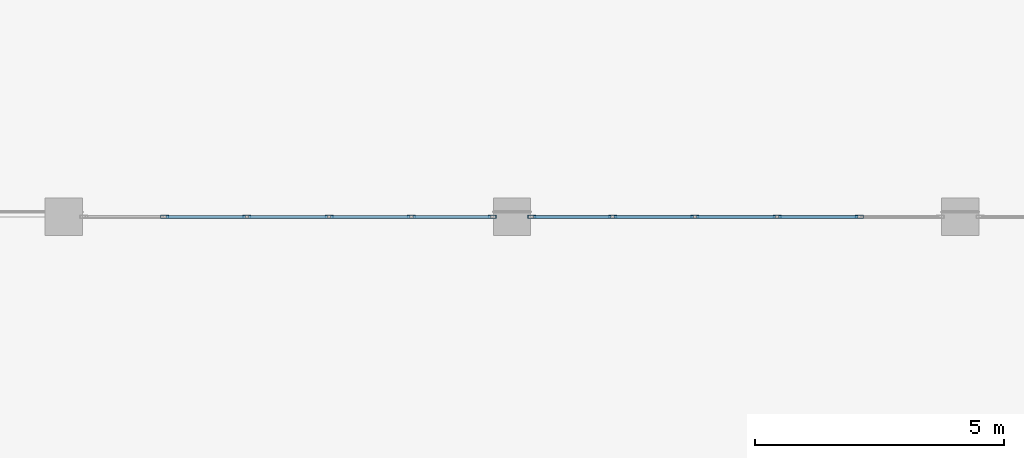
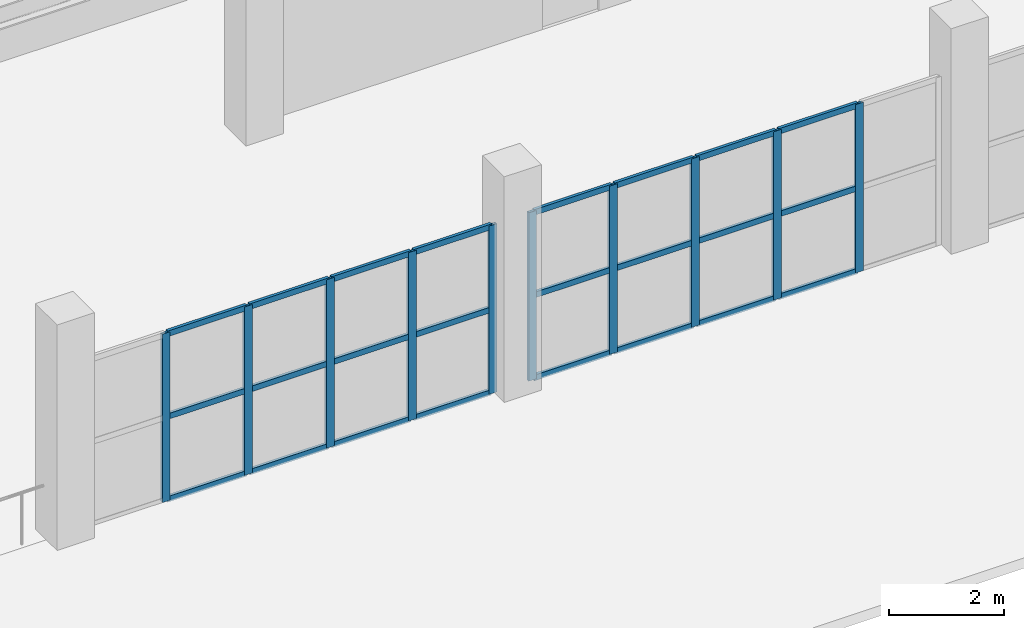
# One storey, part 14 of 89: 34 members, 2 elements without a shape of their own.
"""IFC4 building model written with IfcOpenShell, lengths in metres."""

from ifc_helpers import new_model, si_unit, direction, frame, origin, origin_2d, place, context, subcontext, project, spatial, hollow_rectangle, extrude, material, layer, layer_set, material_profile, profile_set, type_object, element, aggregate, save


model = new_model("IFC4")

# Units and contexts
model_context = context("Model", 3, precision=1e-05, world=origin(), true_north=direction((0.0, 1.0)))
body_context = subcontext(model_context, "Body", "Model", "MODEL_VIEW")
ifc_project = project(units=[si_unit("LENGTHUNIT", "METRE"), si_unit("AREAUNIT", "SQUARE_METRE"), si_unit("VOLUMEUNIT", "CUBIC_METRE"), si_unit("PLANEANGLEUNIT", "RADIAN"), si_unit("MASSUNIT", "GRAM", prefix="KILO")], contexts=[model_context])

# Site, building, storey
site_placement = place(None, origin())
site = spatial("IfcSite", under=ifc_project, at=site_placement, CompositionType="ELEMENT")
building_placement = place(site_placement, origin())
building = spatial("IfcBuilding", under=site, at=building_placement, Name="Dornveld Trade and Exhibition Forum", CompositionType="ELEMENT")
storey_placement = place(building_placement, frame((0.0, 0.0, 12.0)))
storey = spatial("IfcBuildingStorey", under=building, at=storey_placement, Name="L02", CompositionType="ELEMENT", Elevation=12.0)

# Curtain wall, members
ifc_material_1 = material(Name="Dark-bronze anodised aluminium and low-E glass", Category="aluminium")
ifc_layer_1 = layer(ifc_material_1, 0.177978515625)
ifc_layer_set_1 = layer_set([ifc_layer_1], Name="Dark-bronze anodised aluminium and low-E glass")
curtain_wall_type_1 = type_object("IfcCurtainWallType", Name="CW-SYS-12", PredefinedType="USERDEFINED", material=ifc_layer_set_1)
curtain_wall_1_placement = place(storey_placement, origin())
curtain_wall_1 = element("IfcCurtainWall", 1, at=curtain_wall_1_placement, inside=storey, type_object=curtain_wall_type_1, Name="L02 unitised curtain wall 48", ObjectType="UNITISED_CURTAIN_WALL", PredefinedType="USERDEFINED")
ifc_material_2 = material(Name="Dark-bronze anodised aluminium", Category="aluminium")
ifc_material_profile_1 = material_profile(ifc_material_2, hollow_rectangle(XDim=0.06005859375, YDim=0.159912109375, WallThickness=0.00390625, at=origin_2d()), Name="RHS 160x60x4")
ifc_profile_set_1 = profile_set([ifc_material_profile_1], Name="Dark-bronze anodised aluminium")
member_type_1 = type_object("IfcMemberType", Name="CW-MUL-160", PredefinedType="MULLION", material=ifc_profile_set_1)
member_1_placement = place(storey_placement, frame((101.022705078125, 36.0, -0.00390625), z_axis=(0.0, 0.0, 1.0), x_axis=(0.0, 1.0, 0.0)))
member_1 = element("IfcMember", 2, at=member_1_placement, type_object=member_type_1, Name="CW-12 mullion 2", PredefinedType="MULLION", context=body_context, shape_type="SweptSolid", body=[
    extrude(hollow_rectangle(XDim=0.06005859375, YDim=0.159912109375, WallThickness=0.00390625, at=origin_2d()), origin(), (0.0, 0.0, 1.0), 3.583984375),
])
member_2_placement = place(storey_placement, frame((102.67431640625, 36.0, -0.00390625), z_axis=(0.0, 0.0, 1.0), x_axis=(0.0, 1.0, 0.0)))
member_2 = element("IfcMember", 3, at=member_2_placement, type_object=member_type_1, Name="CW-12 mullion 3", PredefinedType="MULLION", context=body_context, shape_type="SweptSolid", body=[
    extrude(hollow_rectangle(XDim=0.06005859375, YDim=0.159912109375, WallThickness=0.00390625, at=origin_2d()), origin(), (0.0, 0.0, 1.0), 3.583984375),
])
member_3_placement = place(storey_placement, frame((104.32568359375, 36.0, -0.00390625), z_axis=(0.0, 0.0, 1.0), x_axis=(0.0, 1.0, 0.0)))
member_3 = element("IfcMember", 4, at=member_3_placement, type_object=member_type_1, Name="CW-12 mullion 4", PredefinedType="MULLION", context=body_context, shape_type="SweptSolid", body=[
    extrude(hollow_rectangle(XDim=0.06005859375, YDim=0.159912109375, WallThickness=0.00390625, at=origin_2d()), origin(), (0.0, 0.0, 1.0), 3.583984375),
])
member_4_placement = place(storey_placement, frame((105.977294921875, 36.0, -0.00390625), z_axis=(0.0, 0.0, 1.0), x_axis=(0.0, 1.0, 0.0)))
member_4 = element("IfcMember", 5, at=member_4_placement, type_object=member_type_1, Name="CW-12 mullion 5", PredefinedType="MULLION", context=body_context, shape_type="SweptSolid", body=[
    extrude(hollow_rectangle(XDim=0.06005859375, YDim=0.159912109375, WallThickness=0.00390625, at=origin_2d()), origin(), (0.0, 0.0, 1.0), 3.583984375),
])
member_5_placement = place(storey_placement, frame((107.59912109375, 36.0, -0.00390625), z_axis=(0.0, 0.0, 1.0), x_axis=(0.0, 1.0, 0.0)))
member_5 = element("IfcMember", 6, at=member_5_placement, type_object=member_type_1, Name="CW-12 mullion 6", PredefinedType="MULLION", context=body_context, shape_type="SweptSolid", body=[
    extrude(hollow_rectangle(XDim=0.06005859375, YDim=0.159912109375, WallThickness=0.00390625, at=origin_2d()), origin(), (0.0, 0.0, 1.0), 3.583984375),
])

ifc_material_3 = material(Name="Dark-bronze anodised aluminium and low-E glass", Category="aluminium")
ifc_layer_2 = layer(ifc_material_3, 0.180908203125)
ifc_layer_set_2 = layer_set([ifc_layer_2], Name="Dark-bronze anodised aluminium and low-E glass")
curtain_wall_type_2 = type_object("IfcCurtainWallType", Name="CW-SYS-13", PredefinedType="USERDEFINED", material=ifc_layer_set_2)
curtain_wall_2_placement = place(storey_placement, origin())
curtain_wall_2 = element("IfcCurtainWall", 7, at=curtain_wall_2_placement, inside=storey, type_object=curtain_wall_type_2, Name="L02 unitised curtain wall 49", ObjectType="UNITISED_CURTAIN_WALL", PredefinedType="USERDEFINED")
member_6_placement = place(storey_placement, frame((108.40087890625, 36.0, -0.00390625), z_axis=(0.0, 0.0, 1.0), x_axis=(0.0, 1.0, 0.0)))
member_6 = element("IfcMember", 8, at=member_6_placement, type_object=member_type_1, Name="CW-13 mullion 1", PredefinedType="MULLION", context=body_context, shape_type="SweptSolid", body=[
    extrude(hollow_rectangle(XDim=0.06005859375, YDim=0.159912109375, WallThickness=0.00390625, at=origin_2d()), origin(), (0.0, 0.0, 1.0), 3.583984375),
])
member_7_placement = place(storey_placement, frame((110.022705078125, 36.0, -0.00390625), z_axis=(0.0, 0.0, 1.0), x_axis=(0.0, 1.0, 0.0)))
member_7 = element("IfcMember", 9, at=member_7_placement, type_object=member_type_1, Name="CW-13 mullion 2", PredefinedType="MULLION", context=body_context, shape_type="SweptSolid", body=[
    extrude(hollow_rectangle(XDim=0.06005859375, YDim=0.159912109375, WallThickness=0.00390625, at=origin_2d()), origin(), (0.0, 0.0, 1.0), 3.583984375),
])
member_8_placement = place(storey_placement, frame((111.67431640625, 36.0, -0.00390625), z_axis=(0.0, 0.0, 1.0), x_axis=(0.0, 1.0, 0.0)))
member_8 = element("IfcMember", 10, at=member_8_placement, type_object=member_type_1, Name="CW-13 mullion 3", PredefinedType="MULLION", context=body_context, shape_type="SweptSolid", body=[
    extrude(hollow_rectangle(XDim=0.06005859375, YDim=0.159912109375, WallThickness=0.00390625, at=origin_2d()), origin(), (0.0, 0.0, 1.0), 3.583984375),
])
member_9_placement = place(storey_placement, frame((113.32568359375, 36.0, -0.00390625), z_axis=(0.0, 0.0, 1.0), x_axis=(0.0, 1.0, 0.0)))
member_9 = element("IfcMember", 11, at=member_9_placement, type_object=member_type_1, Name="CW-13 mullion 4", PredefinedType="MULLION", context=body_context, shape_type="SweptSolid", body=[
    extrude(hollow_rectangle(XDim=0.06005859375, YDim=0.159912109375, WallThickness=0.00390625, at=origin_2d()), origin(), (0.0, 0.0, 1.0), 3.583984375),
])
member_10_placement = place(storey_placement, frame((114.977294921875, 36.0, -0.00390625), z_axis=(0.0, 0.0, 1.0), x_axis=(0.0, 1.0, 0.0)))
member_10 = element("IfcMember", 12, at=member_10_placement, type_object=member_type_1, Name="CW-13 mullion 5", PredefinedType="MULLION", context=body_context, shape_type="SweptSolid", body=[
    extrude(hollow_rectangle(XDim=0.06005859375, YDim=0.159912109375, WallThickness=0.00390625, at=origin_2d()), origin(), (0.0, 0.0, 1.0), 3.583984375),
])

# Member
ifc_material_4 = material(Name="Dark-bronze anodised aluminium", Category="aluminium")
ifc_material_profile_2 = material_profile(ifc_material_4, hollow_rectangle(XDim=0.06005859375, YDim=0.1201171875, WallThickness=0.00390625, at=origin_2d()), Name="RHS 120x60x4")
ifc_profile_set_2 = profile_set([ifc_material_profile_2], Name="Dark-bronze anodised aluminium")
member_type_2 = type_object("IfcMemberType", Name="CW-TRN-120", PredefinedType="USERDEFINED", material=ifc_profile_set_2)
member_11_placement = place(storey_placement, frame((101.052490234375, 36.0, 0.02587890625), z_axis=(1.0, 0.0, 0.0), x_axis=(0.0, 1.0, 0.0)))
member_11 = element("IfcMember", 13, at=member_11_placement, type_object=member_type_2, Name="CW-12 transom 2.1", ObjectType="TRANSOM", PredefinedType="USERDEFINED", context=body_context, shape_type="SweptSolid", body=[
    extrude(hollow_rectangle(XDim=0.06005859375, YDim=0.1201171875, WallThickness=0.00390625, at=origin_2d()), origin(), (0.0, 0.0, 1.0), 1.591796875),
])

member_12_placement = place(storey_placement, frame((101.052490234375, 36.0, 1.7880859375), z_axis=(1.0, 0.0, 0.0), x_axis=(0.0, 1.0, 0.0)))
member_12 = element("IfcMember", 14, at=member_12_placement, type_object=member_type_2, Name="CW-12 transom 2.2", ObjectType="TRANSOM", PredefinedType="USERDEFINED", context=body_context, shape_type="SweptSolid", body=[
    extrude(hollow_rectangle(XDim=0.06005859375, YDim=0.1201171875, WallThickness=0.00390625, at=origin_2d()), origin(), (0.0, 0.0, 1.0), 1.591796875),
])

member_13_placement = place(storey_placement, frame((101.052490234375, 36.0, 3.550048828125), z_axis=(1.0, 0.0, 0.0), x_axis=(0.0, 1.0, 0.0)))
member_13 = element("IfcMember", 15, at=member_13_placement, type_object=member_type_2, Name="CW-12 transom 2.3", ObjectType="TRANSOM", PredefinedType="USERDEFINED", context=body_context, shape_type="SweptSolid", body=[
    extrude(hollow_rectangle(XDim=0.06005859375, YDim=0.1201171875, WallThickness=0.00390625, at=origin_2d()), origin(), (0.0, 0.0, 1.0), 1.591796875),
])

member_14_placement = place(storey_placement, frame((102.7041015625, 36.0, 0.02587890625), z_axis=(1.0, 0.0, 0.0), x_axis=(0.0, 1.0, 0.0)))
member_14 = element("IfcMember", 16, at=member_14_placement, type_object=member_type_2, Name="CW-12 transom 3.1", ObjectType="TRANSOM", PredefinedType="USERDEFINED", context=body_context, shape_type="SweptSolid", body=[
    extrude(hollow_rectangle(XDim=0.06005859375, YDim=0.1201171875, WallThickness=0.00390625, at=origin_2d()), origin(), (0.0, 0.0, 1.0), 1.591796875),
])

member_15_placement = place(storey_placement, frame((102.7041015625, 36.0, 1.7880859375), z_axis=(1.0, 0.0, 0.0), x_axis=(0.0, 1.0, 0.0)))
member_15 = element("IfcMember", 17, at=member_15_placement, type_object=member_type_2, Name="CW-12 transom 3.2", ObjectType="TRANSOM", PredefinedType="USERDEFINED", context=body_context, shape_type="SweptSolid", body=[
    extrude(hollow_rectangle(XDim=0.06005859375, YDim=0.1201171875, WallThickness=0.00390625, at=origin_2d()), origin(), (0.0, 0.0, 1.0), 1.591796875),
])

member_16_placement = place(storey_placement, frame((102.7041015625, 36.0, 3.550048828125), z_axis=(1.0, 0.0, 0.0), x_axis=(0.0, 1.0, 0.0)))
member_16 = element("IfcMember", 18, at=member_16_placement, type_object=member_type_2, Name="CW-12 transom 3.3", ObjectType="TRANSOM", PredefinedType="USERDEFINED", context=body_context, shape_type="SweptSolid", body=[
    extrude(hollow_rectangle(XDim=0.06005859375, YDim=0.1201171875, WallThickness=0.00390625, at=origin_2d()), origin(), (0.0, 0.0, 1.0), 1.591796875),
])

member_17_placement = place(storey_placement, frame((104.355712890625, 36.0, 0.02587890625), z_axis=(1.0, 0.0, 0.0), x_axis=(0.0, 1.0, 0.0)))
member_17 = element("IfcMember", 19, at=member_17_placement, type_object=member_type_2, Name="CW-12 transom 4.1", ObjectType="TRANSOM", PredefinedType="USERDEFINED", context=body_context, shape_type="SweptSolid", body=[
    extrude(hollow_rectangle(XDim=0.06005859375, YDim=0.1201171875, WallThickness=0.00390625, at=origin_2d()), origin(), (0.0, 0.0, 1.0), 1.591796875),
])

member_18_placement = place(storey_placement, frame((104.355712890625, 36.0, 1.7880859375), z_axis=(1.0, 0.0, 0.0), x_axis=(0.0, 1.0, 0.0)))
member_18 = element("IfcMember", 20, at=member_18_placement, type_object=member_type_2, Name="CW-12 transom 4.2", ObjectType="TRANSOM", PredefinedType="USERDEFINED", context=body_context, shape_type="SweptSolid", body=[
    extrude(hollow_rectangle(XDim=0.06005859375, YDim=0.1201171875, WallThickness=0.00390625, at=origin_2d()), origin(), (0.0, 0.0, 1.0), 1.591796875),
])

member_19_placement = place(storey_placement, frame((104.355712890625, 36.0, 3.550048828125), z_axis=(1.0, 0.0, 0.0), x_axis=(0.0, 1.0, 0.0)))
member_19 = element("IfcMember", 21, at=member_19_placement, type_object=member_type_2, Name="CW-12 transom 4.3", ObjectType="TRANSOM", PredefinedType="USERDEFINED", context=body_context, shape_type="SweptSolid", body=[
    extrude(hollow_rectangle(XDim=0.06005859375, YDim=0.1201171875, WallThickness=0.00390625, at=origin_2d()), origin(), (0.0, 0.0, 1.0), 1.591796875),
])

member_20_placement = place(storey_placement, frame((106.00732421875, 36.0, 0.02587890625), z_axis=(1.0, 0.0, 0.0), x_axis=(0.0, 1.0, 0.0)))
member_20 = element("IfcMember", 22, at=member_20_placement, type_object=member_type_2, Name="CW-12 transom 5.1", ObjectType="TRANSOM", PredefinedType="USERDEFINED", context=body_context, shape_type="SweptSolid", body=[
    extrude(hollow_rectangle(XDim=0.06005859375, YDim=0.1201171875, WallThickness=0.00390625, at=origin_2d()), origin(), (0.0, 0.0, 1.0), 1.561767578125),
])

member_21_placement = place(storey_placement, frame((106.00732421875, 36.0, 1.7880859375), z_axis=(1.0, 0.0, 0.0), x_axis=(0.0, 1.0, 0.0)))
member_21 = element("IfcMember", 23, at=member_21_placement, type_object=member_type_2, Name="CW-12 transom 5.2", ObjectType="TRANSOM", PredefinedType="USERDEFINED", context=body_context, shape_type="SweptSolid", body=[
    extrude(hollow_rectangle(XDim=0.06005859375, YDim=0.1201171875, WallThickness=0.00390625, at=origin_2d()), origin(), (0.0, 0.0, 1.0), 1.561767578125),
])

member_22_placement = place(storey_placement, frame((106.00732421875, 36.0, 3.550048828125), z_axis=(1.0, 0.0, 0.0), x_axis=(0.0, 1.0, 0.0)))
member_22 = element("IfcMember", 24, at=member_22_placement, type_object=member_type_2, Name="CW-12 transom 5.3", ObjectType="TRANSOM", PredefinedType="USERDEFINED", context=body_context, shape_type="SweptSolid", body=[
    extrude(hollow_rectangle(XDim=0.06005859375, YDim=0.1201171875, WallThickness=0.00390625, at=origin_2d()), origin(), (0.0, 0.0, 1.0), 1.561767578125),
])

aggregate(curtain_wall_1, [member_1, member_2, member_3, member_4, member_5, member_11, member_12, member_13, member_14, member_15, member_16, member_17, member_18, member_19, member_20, member_21, member_22])

member_23_placement = place(storey_placement, frame((108.430908203125, 36.0, 0.02587890625), z_axis=(1.0, 0.0, 0.0), x_axis=(0.0, 1.0, 0.0)))
member_23 = element("IfcMember", 25, at=member_23_placement, type_object=member_type_2, Name="CW-13 transom 1.1", ObjectType="TRANSOM", PredefinedType="USERDEFINED", context=body_context, shape_type="SweptSolid", body=[
    extrude(hollow_rectangle(XDim=0.06005859375, YDim=0.1201171875, WallThickness=0.00390625, at=origin_2d()), origin(), (0.0, 0.0, 1.0), 1.561767578125),
])

member_24_placement = place(storey_placement, frame((108.430908203125, 36.0, 1.7880859375), z_axis=(1.0, 0.0, 0.0), x_axis=(0.0, 1.0, 0.0)))
member_24 = element("IfcMember", 26, at=member_24_placement, type_object=member_type_2, Name="CW-13 transom 1.2", ObjectType="TRANSOM", PredefinedType="USERDEFINED", context=body_context, shape_type="SweptSolid", body=[
    extrude(hollow_rectangle(XDim=0.06005859375, YDim=0.1201171875, WallThickness=0.00390625, at=origin_2d()), origin(), (0.0, 0.0, 1.0), 1.561767578125),
])

member_25_placement = place(storey_placement, frame((108.430908203125, 36.0, 3.550048828125), z_axis=(1.0, 0.0, 0.0), x_axis=(0.0, 1.0, 0.0)))
member_25 = element("IfcMember", 27, at=member_25_placement, type_object=member_type_2, Name="CW-13 transom 1.3", ObjectType="TRANSOM", PredefinedType="USERDEFINED", context=body_context, shape_type="SweptSolid", body=[
    extrude(hollow_rectangle(XDim=0.06005859375, YDim=0.1201171875, WallThickness=0.00390625, at=origin_2d()), origin(), (0.0, 0.0, 1.0), 1.561767578125),
])

member_26_placement = place(storey_placement, frame((110.052490234375, 36.0, 0.02587890625), z_axis=(1.0, 0.0, 0.0), x_axis=(0.0, 1.0, 0.0)))
member_26 = element("IfcMember", 28, at=member_26_placement, type_object=member_type_2, Name="CW-13 transom 2.1", ObjectType="TRANSOM", PredefinedType="USERDEFINED", context=body_context, shape_type="SweptSolid", body=[
    extrude(hollow_rectangle(XDim=0.06005859375, YDim=0.1201171875, WallThickness=0.00390625, at=origin_2d()), origin(), (0.0, 0.0, 1.0), 1.591796875),
])

member_27_placement = place(storey_placement, frame((110.052490234375, 36.0, 1.7880859375), z_axis=(1.0, 0.0, 0.0), x_axis=(0.0, 1.0, 0.0)))
member_27 = element("IfcMember", 29, at=member_27_placement, type_object=member_type_2, Name="CW-13 transom 2.2", ObjectType="TRANSOM", PredefinedType="USERDEFINED", context=body_context, shape_type="SweptSolid", body=[
    extrude(hollow_rectangle(XDim=0.06005859375, YDim=0.1201171875, WallThickness=0.00390625, at=origin_2d()), origin(), (0.0, 0.0, 1.0), 1.591796875),
])

member_28_placement = place(storey_placement, frame((110.052490234375, 36.0, 3.550048828125), z_axis=(1.0, 0.0, 0.0), x_axis=(0.0, 1.0, 0.0)))
member_28 = element("IfcMember", 30, at=member_28_placement, type_object=member_type_2, Name="CW-13 transom 2.3", ObjectType="TRANSOM", PredefinedType="USERDEFINED", context=body_context, shape_type="SweptSolid", body=[
    extrude(hollow_rectangle(XDim=0.06005859375, YDim=0.1201171875, WallThickness=0.00390625, at=origin_2d()), origin(), (0.0, 0.0, 1.0), 1.591796875),
])

member_29_placement = place(storey_placement, frame((111.7041015625, 36.0, 0.02587890625), z_axis=(1.0, 0.0, 0.0), x_axis=(0.0, 1.0, 0.0)))
member_29 = element("IfcMember", 31, at=member_29_placement, type_object=member_type_2, Name="CW-13 transom 3.1", ObjectType="TRANSOM", PredefinedType="USERDEFINED", context=body_context, shape_type="SweptSolid", body=[
    extrude(hollow_rectangle(XDim=0.06005859375, YDim=0.1201171875, WallThickness=0.00390625, at=origin_2d()), origin(), (0.0, 0.0, 1.0), 1.591796875),
])

member_30_placement = place(storey_placement, frame((111.7041015625, 36.0, 1.7880859375), z_axis=(1.0, 0.0, 0.0), x_axis=(0.0, 1.0, 0.0)))
member_30 = element("IfcMember", 32, at=member_30_placement, type_object=member_type_2, Name="CW-13 transom 3.2", ObjectType="TRANSOM", PredefinedType="USERDEFINED", context=body_context, shape_type="SweptSolid", body=[
    extrude(hollow_rectangle(XDim=0.06005859375, YDim=0.1201171875, WallThickness=0.00390625, at=origin_2d()), origin(), (0.0, 0.0, 1.0), 1.591796875),
])

member_31_placement = place(storey_placement, frame((111.7041015625, 36.0, 3.550048828125), z_axis=(1.0, 0.0, 0.0), x_axis=(0.0, 1.0, 0.0)))
member_31 = element("IfcMember", 33, at=member_31_placement, type_object=member_type_2, Name="CW-13 transom 3.3", ObjectType="TRANSOM", PredefinedType="USERDEFINED", context=body_context, shape_type="SweptSolid", body=[
    extrude(hollow_rectangle(XDim=0.06005859375, YDim=0.1201171875, WallThickness=0.00390625, at=origin_2d()), origin(), (0.0, 0.0, 1.0), 1.591796875),
])

member_32_placement = place(storey_placement, frame((113.355712890625, 36.0, 0.02587890625), z_axis=(1.0, 0.0, 0.0), x_axis=(0.0, 1.0, 0.0)))
member_32 = element("IfcMember", 34, at=member_32_placement, type_object=member_type_2, Name="CW-13 transom 4.1", ObjectType="TRANSOM", PredefinedType="USERDEFINED", context=body_context, shape_type="SweptSolid", body=[
    extrude(hollow_rectangle(XDim=0.06005859375, YDim=0.1201171875, WallThickness=0.00390625, at=origin_2d()), origin(), (0.0, 0.0, 1.0), 1.591796875),
])

member_33_placement = place(storey_placement, frame((113.355712890625, 36.0, 1.7880859375), z_axis=(1.0, 0.0, 0.0), x_axis=(0.0, 1.0, 0.0)))
member_33 = element("IfcMember", 35, at=member_33_placement, type_object=member_type_2, Name="CW-13 transom 4.2", ObjectType="TRANSOM", PredefinedType="USERDEFINED", context=body_context, shape_type="SweptSolid", body=[
    extrude(hollow_rectangle(XDim=0.06005859375, YDim=0.1201171875, WallThickness=0.00390625, at=origin_2d()), origin(), (0.0, 0.0, 1.0), 1.591796875),
])

member_34_placement = place(storey_placement, frame((113.355712890625, 36.0, 3.550048828125), z_axis=(1.0, 0.0, 0.0), x_axis=(0.0, 1.0, 0.0)))
member_34 = element("IfcMember", 36, at=member_34_placement, type_object=member_type_2, Name="CW-13 transom 4.3", ObjectType="TRANSOM", PredefinedType="USERDEFINED", context=body_context, shape_type="SweptSolid", body=[
    extrude(hollow_rectangle(XDim=0.06005859375, YDim=0.1201171875, WallThickness=0.00390625, at=origin_2d()), origin(), (0.0, 0.0, 1.0), 1.591796875),
])

aggregate(curtain_wall_2, [member_6, member_7, member_8, member_9, member_10, member_23, member_24, member_25, member_26, member_27, member_28, member_29, member_30, member_31, member_32, member_33, member_34])

save(model, "model.ifc")
